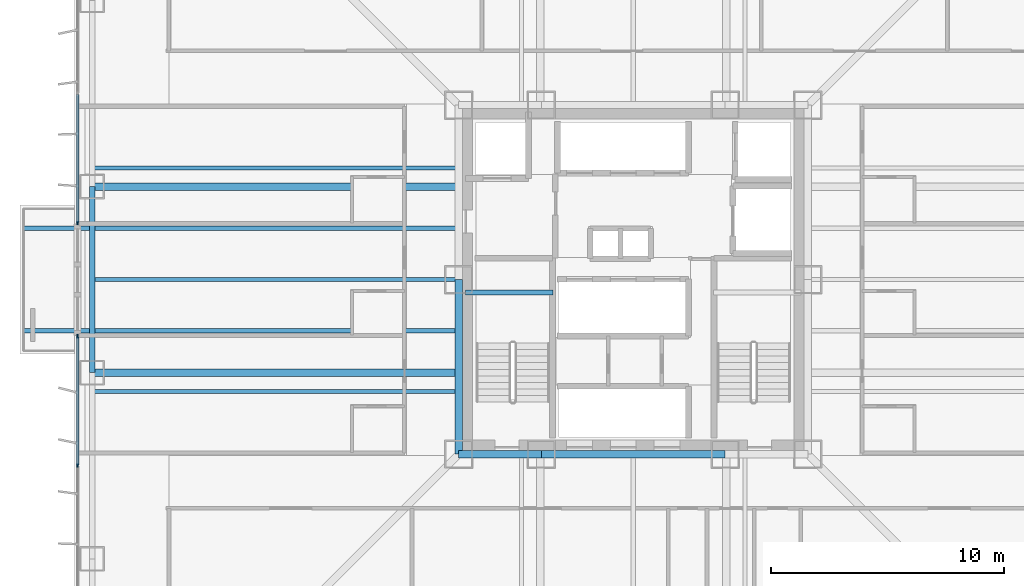
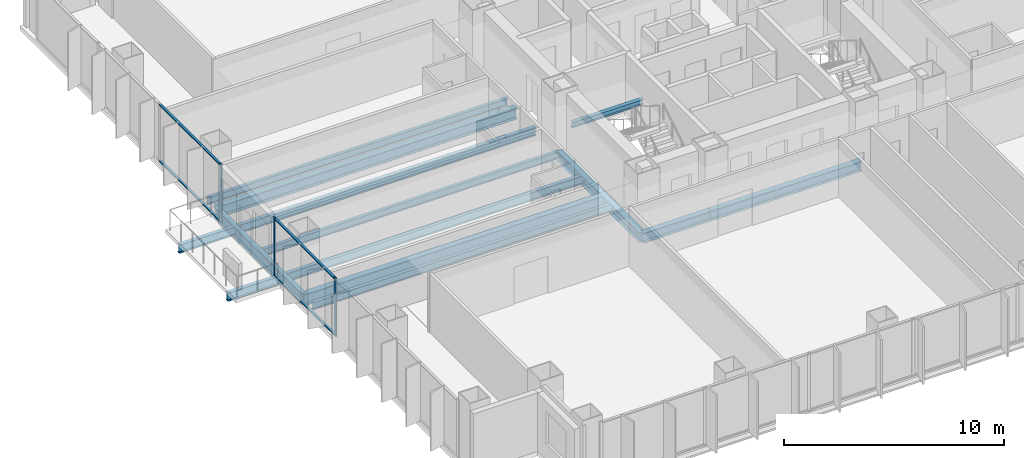
# One storey, part 4 of 16: 12 beams, 7 members, 2 elements without a shape of their own.
"""IFC4 building model written with IfcOpenShell, lengths in metres."""

from ifc_helpers import new_model, si_unit, direction, frame, origin, origin_2d, place, context, subcontext, project, spatial, rectangle, i_section, extrude, material, layer, layer_set, material_profile, profile_set, type_object, element, aggregate, save


model = new_model("IFC4")

# Units and contexts
model_context = context("Model", 3, precision=1e-05, world=origin(), true_north=direction((0.0, 1.0)))
body_context = subcontext(model_context, "Body", "Model", "MODEL_VIEW")
ifc_project = project(units=[si_unit("LENGTHUNIT", "METRE"), si_unit("AREAUNIT", "SQUARE_METRE"), si_unit("VOLUMEUNIT", "CUBIC_METRE"), si_unit("PLANEANGLEUNIT", "RADIAN"), si_unit("MASSUNIT", "GRAM", prefix="KILO")], contexts=[model_context])

# Site, building, storey
site_placement = place(None, origin())
site = spatial("IfcSite", under=ifc_project, at=site_placement, CompositionType="ELEMENT")
building_placement = place(site_placement, origin())
building = spatial("IfcBuilding", under=site, at=building_placement, Name="Trevonay Congress Spire", CompositionType="ELEMENT")
storey_placement = place(building_placement, frame((0.0, 0.0, 48.0)))
storey = spatial("IfcBuildingStorey", under=building, at=storey_placement, Name="L11", CompositionType="ELEMENT", Elevation=48.0)

# Beams
ifc_material_1 = material(Name="Steel ASTM A572 Grade 50", Category="steel")
ifc_material_profile_1 = material_profile(ifc_material_1, i_section(OverallWidth=0.194091796875, OverallDepth=0.468994140625, WebThickness=0.011474609375, FlangeThickness=0.01953125, FilletRadius=0.013916015625, at=origin_2d()), Name="W460x106")
ifc_profile_set_1 = profile_set([ifc_material_profile_1], Name="Steel ASTM A572 Grade 50")
beam_type_1 = type_object("IfcBeamType", Name="BM-BAL-LOOKOUT", PredefinedType="BEAM", material=ifc_profile_set_1)
for number, where, z_axis, x_axis, name in (
    (1, (-7.5, -2.199951171875, -0.484619140625), (-1.0, 0.0, 0.0), (0.0, -1.0, 0.0), "L11 structural beam LKT-L11-W1"),
    (2, (-7.5, 2.199951171875, -0.484619140625), (-1.0, 0.0, 0.0), (0.0, -1.0, 0.0), "L11 structural beam LKT-L11-W2"),
):
    element("IfcBeam", number, at=place(storey_placement, frame(where, z_axis=z_axis, x_axis=x_axis)), inside=storey, type_object=beam_type_1, Name=name, PredefinedType="BEAM", context=body_context, shape_type="SweptSolid", body=[
        extrude(i_section(OverallWidth=0.194091796875, OverallDepth=0.468994140625, WebThickness=0.011474609375, FlangeThickness=0.01953125, FilletRadius=0.013916015625, at=origin_2d()), origin(), (0.0, 0.0, 1.0), 18.75),
    ])
ifc_material_profile_2 = material_profile(ifc_material_1, i_section(OverallWidth=0.31201171875, OverallDepth=0.54296875, WebThickness=0.0126953125, FlangeThickness=0.020263671875, FilletRadius=0.014892578125, at=origin_2d()), Name="W530x150")
ifc_profile_set_2 = profile_set([ifc_material_profile_2], Name="Steel ASTM A572 Grade 50")
beam_type_2 = type_object("IfcBeamType", Name="BM-GIRD-W530X150", PredefinedType="BEAM", material=ifc_profile_set_2)
beam_1_placement = place(storey_placement, frame((-7.5, -7.5, -0.521484375), z_axis=(1.0, 0.0, 0.0), x_axis=(0.0, 1.0, 0.0)))
element("IfcBeam", 3, at=beam_1_placement, inside=storey, type_object=beam_type_2, Name="L11 structural beam BM-L11-CR-S1", PredefinedType="BEAM", context=body_context, shape_type="SweptSolid", body=[
    extrude(i_section(OverallWidth=0.31201171875, OverallDepth=0.54296875, WebThickness=0.0126953125, FlangeThickness=0.020263671875, FilletRadius=0.014892578125, at=origin_2d()), origin(), (0.0, 0.0, 1.0), 3.550048828125),
])
beam_2_placement = place(storey_placement, frame((-3.949951171875, -7.5, -0.521484375), z_axis=(1.0, 0.0, 0.0), x_axis=(0.0, 1.0, 0.0)))
element("IfcBeam", 4, at=beam_2_placement, inside=storey, type_object=beam_type_2, Name="L11 structural beam BM-L11-CR-S2", PredefinedType="BEAM", context=body_context, shape_type="SweptSolid", body=[
    extrude(i_section(OverallWidth=0.31201171875, OverallDepth=0.54296875, WebThickness=0.0126953125, FlangeThickness=0.020263671875, FilletRadius=0.014892578125, at=origin_2d()), origin(), (0.0, 0.0, 1.0), 7.89990234375),
])
beam_3_placement = place(storey_placement, frame((-7.5, -7.5, -0.521484375), z_axis=(0.0, 1.0, 0.0), x_axis=(-1.0, 0.0, 0.0)))
element("IfcBeam", 5, at=beam_3_placement, inside=storey, type_object=beam_type_2, Name="L11 structural beam BM-L11-CR-W1", PredefinedType="BEAM", context=body_context, shape_type="SweptSolid", body=[
    extrude(i_section(OverallWidth=0.31201171875, OverallDepth=0.54296875, WebThickness=0.0126953125, FlangeThickness=0.020263671875, FilletRadius=0.014892578125, at=origin_2d()), origin(), (0.0, 0.0, 1.0), 7.5),
])
ifc_material_profile_3 = material_profile(ifc_material_1, i_section(OverallWidth=0.324951171875, OverallDepth=0.615966796875, WebThickness=0.013916015625, FlangeThickness=0.021484375, FilletRadius=0.01806640625, at=origin_2d()), Name="W610x174")
ifc_profile_set_3 = profile_set([ifc_material_profile_3], Name="Steel ASTM A572 Grade 50")
beam_type_3 = type_object("IfcBeamType", Name="BM-GIRD-W610X174", PredefinedType="BEAM", material=ifc_profile_set_3)
for number, where, z_axis, x_axis, name in (
    (6, (-7.5, -4.0, -0.55810546875), (-1.0, 0.0, 0.0), (0.0, -1.0, 0.0), "L11 structural beam BM-L11-GW-M"),
    (7, (-7.5, 4.0, -0.55810546875), (-1.0, 0.0, 0.0), (0.0, -1.0, 0.0), "L11 structural beam BM-L11-GW-P"),
):
    element("IfcBeam", number, at=place(storey_placement, frame(where, z_axis=z_axis, x_axis=x_axis)), inside=storey, type_object=beam_type_3, Name=name, PredefinedType="BEAM", context=body_context, shape_type="SweptSolid", body=[
        extrude(i_section(OverallWidth=0.324951171875, OverallDepth=0.615966796875, WebThickness=0.013916015625, FlangeThickness=0.021484375, FilletRadius=0.01806640625, at=origin_2d()), origin(), (0.0, 0.0, 1.0), 15.75),
    ])
ifc_material_profile_4 = material_profile(ifc_material_1, i_section(OverallWidth=0.22998046875, OverallDepth=0.616943359375, WebThickness=0.01318359375, FlangeThickness=0.022216796875, FilletRadius=0.01611328125, at=origin_2d()), Name="W610x140")
ifc_profile_set_4 = profile_set([ifc_material_profile_4], Name="Steel ASTM A572 Grade 50")
beam_type_4 = type_object("IfcBeamType", Name="BM-RING-W610X140", PredefinedType="BEAM", material=ifc_profile_set_4)
beam_4_placement = place(storey_placement, frame((-23.25, -4.0, -0.55859375), z_axis=(0.0, 1.0, 0.0), x_axis=(-1.0, 0.0, 0.0)))
element("IfcBeam", 8, at=beam_4_placement, inside=storey, type_object=beam_type_4, Name="L11 structural beam BM-L11-PW3", PredefinedType="BEAM", context=body_context, shape_type="SweptSolid", body=[
    extrude(i_section(OverallWidth=0.22998046875, OverallDepth=0.616943359375, WebThickness=0.01318359375, FlangeThickness=0.022216796875, FilletRadius=0.01611328125, at=origin_2d()), origin(), (0.0, 0.0, 1.0), 8.0),
])

# Curtain wall, members
ifc_material_2 = material(Name="Pale Anodised Aluminium EN AW-6063-T6", Category="aluminium")
ifc_layer = layer(ifc_material_2, 0.179931640625, Name="Pale Anodised Aluminium EN AW-6063-T6")
ifc_layer_set = layer_set([ifc_layer], Name="Pale Anodised Aluminium EN AW-6063-T6")
curtain_wall_type = type_object("IfcCurtainWallType", Name="CW-SYS02-HOTEL-PALE-METAL", PredefinedType="NOTDEFINED", material=ifc_layer_set)
curtain_wall_1_placement = place(storey_placement, origin())
curtain_wall_1 = element("IfcCurtainWall", 9, at=curtain_wall_1_placement, inside=storey, type_object=curtain_wall_type, Name="L11 WA unitised curtain wall", PredefinedType="NOTDEFINED")
ifc_material_profile_5 = material_profile(ifc_material_2, rectangle(XDim=0.06005859375, YDim=0.159912109375, at=origin_2d()), Name="CW-MULLION-160-ALUMINIUM")
ifc_profile_set_5 = profile_set([ifc_material_profile_5], Name="Pale Anodised Aluminium EN AW-6063-T6")
member_type_1 = type_object("IfcMemberType", Name="CW-MULLION-160-ALUMINIUM", PredefinedType="MULLION", material=ifc_profile_set_5)
member_1_placement = place(storey_placement, frame((-23.8798828125, -7.9833984375, 0.0), z_axis=(0.0, 0.0, 1.0), x_axis=(-1.0, 0.0, 0.0)))
member_1 = element("IfcMember", 10, at=member_1_placement, type_object=member_type_1, Name="CW02 mullion 3", PredefinedType="MULLION", context=body_context, shape_type="SweptSolid", body=[
    extrude(rectangle(XDim=0.06005859375, YDim=0.159912109375, at=origin_2d()), origin(), (0.0, 0.0, 1.0), 3.25),
])
member_2_placement = place(storey_placement, frame((-23.8798828125, -2.429931640625, 0.0), z_axis=(0.0, 0.0, 1.0), x_axis=(-1.0, 0.0, 0.0)))
member_2 = element("IfcMember", 11, at=member_2_placement, type_object=member_type_1, Name="CW02 mullion 4", PredefinedType="MULLION", context=body_context, shape_type="SweptSolid", body=[
    extrude(rectangle(XDim=0.06005859375, YDim=0.159912109375, at=origin_2d()), origin(), (0.0, 0.0, 1.0), 3.25),
])

# Curtain wall, member
curtain_wall_2_placement = place(storey_placement, origin())
curtain_wall_2 = element("IfcCurtainWall", 12, at=curtain_wall_2_placement, inside=storey, type_object=curtain_wall_type, Name="L11 WB unitised curtain wall", PredefinedType="NOTDEFINED")
member_3_placement = place(storey_placement, frame((-23.8798828125, 2.429931640625, 0.0), z_axis=(0.0, 0.0, 1.0), x_axis=(-1.0, 0.0, 0.0)))
member_3 = element("IfcMember", 13, at=member_3_placement, type_object=member_type_1, Name="CW02 mullion 1", PredefinedType="MULLION", context=body_context, shape_type="SweptSolid", body=[
    extrude(rectangle(XDim=0.06005859375, YDim=0.159912109375, at=origin_2d()), origin(), (0.0, 0.0, 1.0), 3.25),
])

# Member
ifc_material_profile_6 = material_profile(ifc_material_2, rectangle(XDim=0.1201171875, YDim=0.06005859375, at=origin_2d()), Name="CW-TRANSOM-120-ALUMINIUM")
ifc_profile_set_6 = profile_set([ifc_material_profile_6], Name="Pale Anodised Aluminium EN AW-6063-T6")
member_type_2 = type_object("IfcMemberType", Name="CW-TRANSOM-120-ALUMINIUM", PredefinedType="USERDEFINED", material=ifc_profile_set_6)
member_4_placement = place(storey_placement, frame((-23.8798828125, -7.953369140625, 0.06005859375), z_axis=(0.0, 1.0, 0.0), x_axis=(-1.0, 0.0, 0.0)))
member_4 = element("IfcMember", 14, at=member_4_placement, type_object=member_type_2, Name="CW02 transom 3.1", ObjectType="TRANSOM", PredefinedType="USERDEFINED", context=body_context, shape_type="SweptSolid", body=[
    extrude(rectangle(XDim=0.1201171875, YDim=0.06005859375, at=origin_2d()), origin(), (0.0, 0.0, 1.0), 5.493408203125),
])

member_5_placement = place(storey_placement, frame((-23.8798828125, -7.953369140625, 3.18994140625), z_axis=(0.0, 1.0, 0.0), x_axis=(-1.0, 0.0, 0.0)))
member_5 = element("IfcMember", 15, at=member_5_placement, type_object=member_type_2, Name="CW02 transom 3.2", ObjectType="TRANSOM", PredefinedType="USERDEFINED", context=body_context, shape_type="SweptSolid", body=[
    extrude(rectangle(XDim=0.1201171875, YDim=0.06005859375, at=origin_2d()), origin(), (0.0, 0.0, 1.0), 5.493408203125),
])

aggregate(curtain_wall_1, [member_1, member_2, member_4, member_5])

member_6_placement = place(storey_placement, frame((-23.8798828125, 2.4599609375, 0.06005859375), z_axis=(0.0, 1.0, 0.0), x_axis=(-1.0, 0.0, 0.0)))
member_6 = element("IfcMember", 16, at=member_6_placement, type_object=member_type_2, Name="CW02 transom 1.1", ObjectType="TRANSOM", PredefinedType="USERDEFINED", context=body_context, shape_type="SweptSolid", body=[
    extrude(rectangle(XDim=0.1201171875, YDim=0.06005859375, at=origin_2d()), origin(), (0.0, 0.0, 1.0), 5.493408203125),
])

member_7_placement = place(storey_placement, frame((-23.8798828125, 2.4599609375, 3.18994140625), z_axis=(0.0, 1.0, 0.0), x_axis=(-1.0, 0.0, 0.0)))
member_7 = element("IfcMember", 17, at=member_7_placement, type_object=member_type_2, Name="CW02 transom 1.2", ObjectType="TRANSOM", PredefinedType="USERDEFINED", context=body_context, shape_type="SweptSolid", body=[
    extrude(rectangle(XDim=0.1201171875, YDim=0.06005859375, at=origin_2d()), origin(), (0.0, 0.0, 1.0), 5.493408203125),
])

aggregate(curtain_wall_2, [member_3, member_6, member_7])

# Beams
ifc_material_profile_7 = material_profile(ifc_material_1, i_section(OverallWidth=0.177978515625, OverallDepth=0.406982421875, WebThickness=0.0078125, FlangeThickness=0.0126953125, FilletRadius=0.012939453125, at=origin_2d()), Name="W410x60")
ifc_profile_set_7 = profile_set([ifc_material_profile_7], Name="Steel ASTM A572 Grade 50")
beam_type_5 = type_object("IfcBeamType", Name="JS-COMP-W410X60", PredefinedType="JOIST", material=ifc_profile_set_7)
for number, where, z_axis, x_axis, name in (
    (18, (-23.25, -4.800048828125, -0.45361328125), (1.0, 0.0, 0.0), (0.0, 1.0, 0.0), "L11 structural beam JS-L11-EW-W1"),
    (19, (-23.25, 0.0, -0.45361328125), (1.0, 0.0, 0.0), (0.0, 1.0, 0.0), "L11 structural beam JS-L11-EW-W2"),
    (20, (-23.25, 4.800048828125, -0.45361328125), (1.0, 0.0, 0.0), (0.0, 1.0, 0.0), "L11 structural beam JS-L11-EW-W3"),
):
    element("IfcBeam", number, at=place(storey_placement, frame(where, z_axis=z_axis, x_axis=x_axis)), inside=storey, type_object=beam_type_5, Name=name, PredefinedType="JOIST", context=body_context, shape_type="SweptSolid", body=[
        extrude(i_section(OverallWidth=0.177978515625, OverallDepth=0.406982421875, WebThickness=0.0078125, FlangeThickness=0.0126953125, FilletRadius=0.012939453125, at=origin_2d()), origin(), (0.0, 0.0, 1.0), 15.75),
    ])
ifc_material_profile_8 = material_profile(ifc_material_1, i_section(OverallWidth=0.2041015625, OverallDepth=0.305908203125, WebThickness=0.008544921875, FlangeThickness=0.0146484375, FilletRadius=0.010986328125, at=origin_2d()), Name="W310x67")
ifc_profile_set_8 = profile_set([ifc_material_profile_8], Name="Steel ASTM A572 Grade 50")
beam_type_6 = type_object("IfcBeamType", Name="LN-CORE-W310X67", PredefinedType="LINTEL", material=ifc_profile_set_8)
beam_5_placement = place(storey_placement, frame((-7.199951171875, -0.550048828125, 1.39697265625), z_axis=(1.0, 0.0, 0.0), x_axis=(0.0, 1.0, 0.0)))
element("IfcBeam", 21, at=beam_5_placement, inside=storey, type_object=beam_type_6, Name="L11 structural beam BM-L11-HL-ST1", PredefinedType="LINTEL", context=body_context, shape_type="SweptSolid", body=[
    extrude(i_section(OverallWidth=0.2041015625, OverallDepth=0.305908203125, WebThickness=0.008544921875, FlangeThickness=0.0146484375, FilletRadius=0.010986328125, at=origin_2d()), origin(), (0.0, 0.0, 1.0), 3.75),
])

save(model, "model.ifc")
